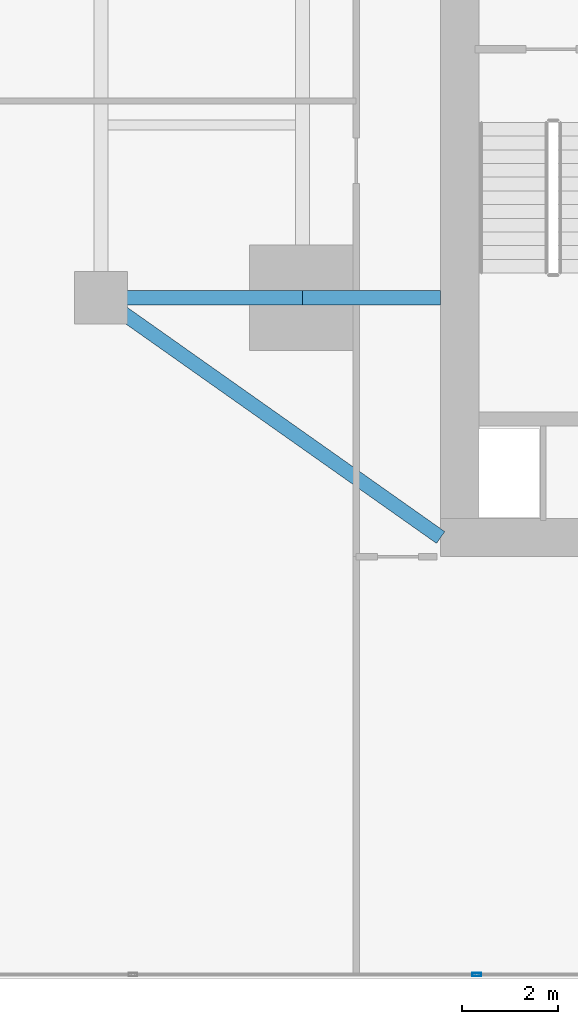
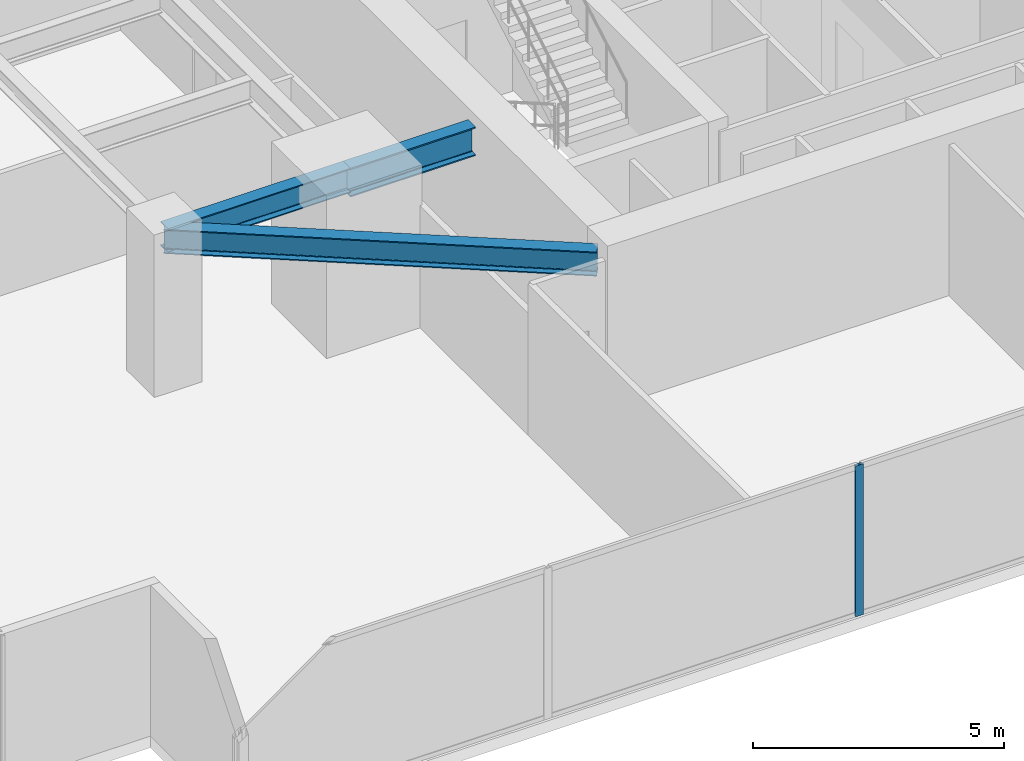
# One storey, part 5 of 28: 3 beams, 1 member, 1 element without a shape of its own.
"""IFC4 building model written with IfcOpenShell, lengths in metres."""

from ifc_helpers import new_model, si_unit, direction, frame, origin, origin_2d, place, context, subcontext, project, spatial, hollow_rectangle, i_section, extrude, source, transform, mapped, material, material_profile, profile_set, type_object, type_shapes, element, aggregate, save


model = new_model("IFC4")

# Units and contexts
model_context = context("Model", 3, precision=1e-05, world=origin(), true_north=direction((0.0, 1.0)))
body_context = subcontext(model_context, "Body", "Model", "MODEL_VIEW")
ifc_project = project(units=[si_unit("LENGTHUNIT", "METRE"), si_unit("AREAUNIT", "SQUARE_METRE"), si_unit("VOLUMEUNIT", "CUBIC_METRE"), si_unit("PLANEANGLEUNIT", "RADIAN"), si_unit("MASSUNIT", "GRAM", prefix="KILO")], contexts=[model_context])

# Site, building, storey
site_placement = place(None, origin())
site = spatial("IfcSite", under=ifc_project, at=site_placement, CompositionType="ELEMENT")
building_placement = place(site_placement, origin())
building = spatial("IfcBuilding", under=site, at=building_placement, Name="Krantzveldt Concourse Tower", CompositionType="ELEMENT")
storey_placement = place(building_placement, frame((0.0, 0.0, 28.949951171875)))
storey = spatial("IfcBuildingStorey", under=building, at=storey_placement, Name="L06", CompositionType="ELEMENT", Elevation=28.949951171875)

# Beams
ifc_material_1 = material(Name="Steel S355J2", Category="steel")
ifc_material_profile_1 = material_profile(ifc_material_1, i_section(OverallWidth=0.300048828125, OverallDepth=0.699951171875, WebThickness=0.01708984375, FlangeThickness=0.031982421875, FilletRadius=0.027099609375, at=origin_2d()), Name="Steel S355J2", Category="steel")
ifc_profile_set_1 = profile_set([ifc_material_profile_1], Name="Steel S355J2 - HEB 700")
beam_type_1 = type_object("IfcBeamType", Name="BM-B-HEB700", PredefinedType="BEAM", material=ifc_profile_set_1)
shared_shape_1 = source(origin(), body_context, "Body", "SweptSolid", [
    extrude(i_section(OverallWidth=0.300048828125, OverallDepth=0.699951171875, WebThickness=0.01708984375, FlangeThickness=0.031982421875, FilletRadius=0.027099609375, at=origin_2d()), origin(), (0.0, 0.0, 1.0), 2.880126953125),
])
type_shapes(beam_type_1, [shared_shape_1])
beam_1_placement = place(storey_placement, frame((25.199951171875, 15.89990234375, 3.320068359375), z_axis=(1.0, 0.0, 0.0), x_axis=(0.0, 1.0, 0.0)))
element("IfcBeam", 1, at=beam_1_placement, inside=storey, type_object=beam_type_1, Name="L06 Tower Girder BG-CW1", PredefinedType="BEAM", context=body_context, shape_type="MappedRepresentation", body=[
    mapped(shared_shape_1, transform((0.0, 0.0, 0.0), x_axis=(1.0, 0.0, 0.0), y_axis=(0.0, 1.0, 0.0), z_axis=(0.0, 0.0, 1.0), scale=1.0)),
])
ifc_material_2 = material(Name="Steel S355JR", Category="steel")
ifc_material_profile_2 = material_profile(ifc_material_2, i_section(OverallWidth=0.300048828125, OverallDepth=0.590087890625, WebThickness=0.012939453125, FlangeThickness=0.02490234375, FilletRadius=0.027099609375, at=origin_2d()), Name="Steel S355JR", Category="steel")
ifc_profile_set_2 = profile_set([ifc_material_profile_2], Name="Steel S355JR - HEA 600")
beam_type_2 = type_object("IfcBeamType", Name="BM-B-HEA600", PredefinedType="BEAM", material=ifc_profile_set_2)
shared_shape_2 = source(origin(), body_context, "Body", "SweptSolid", [
    extrude(i_section(OverallWidth=0.300048828125, OverallDepth=0.590087890625, WebThickness=0.012939453125, FlangeThickness=0.02490234375, FilletRadius=0.027099609375, at=origin_2d()), origin(), (0.0, 0.0, 1.0), 4.199951171875),
])
beam_2_placement = place(storey_placement, frame((21.0, 15.89990234375, 3.375), z_axis=(1.0, 0.0, 0.0), x_axis=(0.0, 1.0, 0.0)))
element("IfcBeam", 2, at=beam_2_placement, inside=storey, type_object=beam_type_2, Name="L06 Tower Girder BR-RL1", PredefinedType="BEAM", context=body_context, shape_type="MappedRepresentation", body=[
    mapped(shared_shape_2, transform((0.0, 0.0, 0.0), x_axis=(1.0, 0.0, 0.0), y_axis=(0.0, 1.0, 0.0), z_axis=(0.0, 0.0, 1.0), scale=1.0)),
])
shared_shape_3 = source(origin(), body_context, "Body", "SweptSolid", [
    extrude(i_section(OverallWidth=0.300048828125, OverallDepth=0.590087890625, WebThickness=0.012939453125, FlangeThickness=0.02490234375, FilletRadius=0.027099609375, at=origin_2d()), origin(), (0.0, 0.0, 1.0), 8.667724609375),
])
type_shapes(beam_type_2, [shared_shape_2, shared_shape_3])
beam_3_placement = place(storey_placement, frame((21.0, 15.89990234375, 3.375), z_axis=(0.81684294656, -0.576860122261, 0.0), x_axis=(0.576860122261, 0.81684294656, 0.0)))
element("IfcBeam", 3, at=beam_3_placement, inside=storey, type_object=beam_type_2, Name="L06 Tower Girder BR-CSW", PredefinedType="BEAM", context=body_context, shape_type="MappedRepresentation", body=[
    mapped(shared_shape_3, transform((0.0, 0.0, 0.0), x_axis=(1.0, 0.0, 0.0), y_axis=(0.0, 1.0, 0.0), z_axis=(0.0, 0.0, 1.0), scale=1.0)),
])

# Curtain wall, member
ifc_material_3 = material(Name="Anodised aluminium 6063-T6", Category="aluminium")
curtain_wall_type = type_object("IfcCurtainWallType", Name="CW2", PredefinedType="USERDEFINED", material=ifc_material_3)
curtain_wall_placement = place(storey_placement, origin())
curtain_wall = element("IfcCurtainWall", 4, at=curtain_wall_placement, inside=storey, type_object=curtain_wall_type, Name="CW-L06-F04", ObjectType="UNITISED CURTAIN WALL", PredefinedType="USERDEFINED")
ifc_material_profile_3 = material_profile(ifc_material_3, hollow_rectangle(XDim=0.070068359375, YDim=0.179931640625, WallThickness=0.0048828125, at=origin_2d()), Name="Anodised aluminium 6063-T6", Category="aluminium")
ifc_profile_set_3 = profile_set([ifc_material_profile_3], Name="Anodised aluminium 6063-T6 - ALU-MULL 180x70x5")
member_type = type_object("IfcMemberType", Name="CW-MUL-180", PredefinedType="MULLION", material=ifc_profile_set_3)
shared_shape_4 = source(origin(), body_context, "Body", "SweptSolid", [
    extrude(hollow_rectangle(XDim=0.070068359375, YDim=0.179931640625, WallThickness=0.0048828125, at=origin_2d()), origin(), (0.0, 0.0, 1.0), 3.670166015625),
])
type_shapes(member_type, [shared_shape_4])
member_placement = place(storey_placement, frame((28.833251953125, 1.7900390625, 0.0), z_axis=(0.0, 0.0, 1.0), x_axis=(0.0, 1.0, 0.0)))
member = element("IfcMember", 5, at=member_placement, type_object=member_type, Name="CW-Z12 mullion 3", PredefinedType="MULLION", context=body_context, shape_type="MappedRepresentation", body=[
    mapped(shared_shape_4, transform((0.0, 0.0, 0.0), x_axis=(1.0, 0.0, 0.0), y_axis=(0.0, 1.0, 0.0), z_axis=(0.0, 0.0, 1.0), scale=1.0)),
])
aggregate(curtain_wall, [member])

save(model, "model.ifc")
